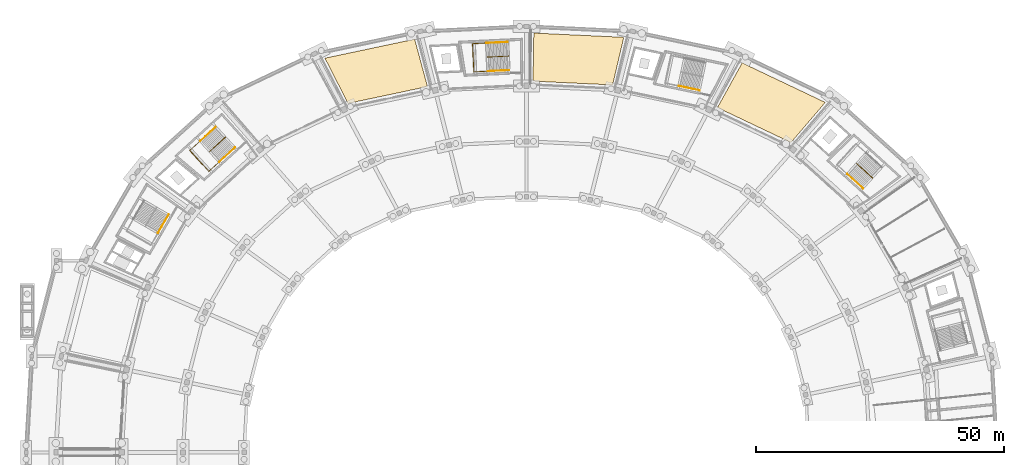
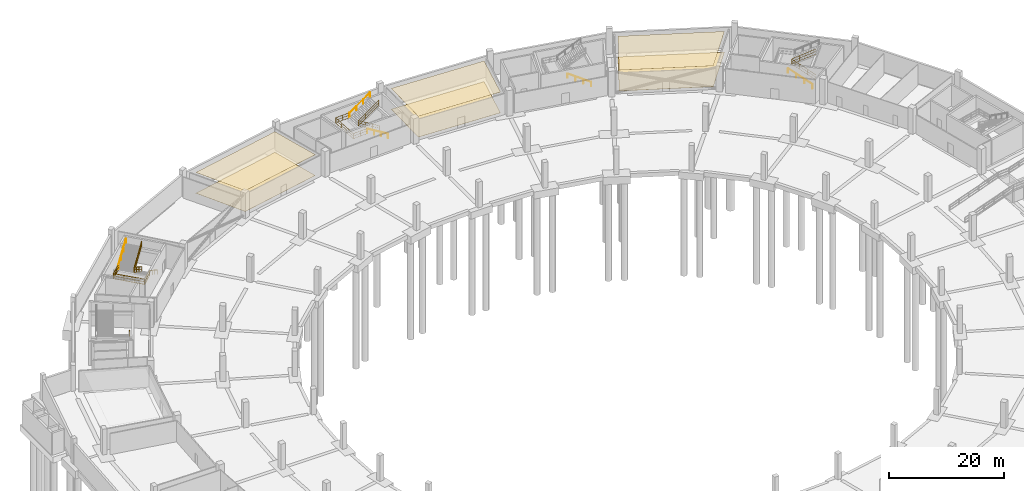
# One storey, part 47 of 49: 12 railings, 6 coverings.
"""IFC4 building model written with IfcOpenShell, lengths in metres."""

from ifc_helpers import new_model, si_unit, direction, frame, origin, origin_2d, place, context, subcontext, project, spatial, polyline, rectangle, outline, extrude, material, layer, layer_set, type_object, element, save


model = new_model("IFC4")

# Units and contexts
model_context = context("Model", 3, precision=1e-05, world=origin(), true_north=direction((0.0, 1.0)))
body_context = subcontext(model_context, "Body", "Model", "MODEL_VIEW")
ifc_project = project(units=[si_unit("LENGTHUNIT", "METRE"), si_unit("AREAUNIT", "SQUARE_METRE"), si_unit("VOLUMEUNIT", "CUBIC_METRE"), si_unit("PLANEANGLEUNIT", "RADIAN"), si_unit("MASSUNIT", "GRAM", prefix="KILO")], contexts=[model_context])

# Site, building, storey
site_placement = place(None, origin())
site = spatial("IfcSite", under=ifc_project, at=site_placement, CompositionType="ELEMENT")
building_placement = place(site_placement, origin())
building = spatial("IfcBuilding", under=site, at=building_placement, Name="Kazemori Nagisa Stadium", CompositionType="ELEMENT")
storey_placement = place(building_placement, frame((0.0, 0.0, -5.43994140625)))
storey = spatial("IfcBuildingStorey", under=building, at=storey_placement, Name="B1", CompositionType="ELEMENT", Elevation=-5.43994140625)

# Coverings
ifc_material_1 = material(Name="Mineral-fibre acoustic board", Category="gypsum")
ifc_layer_1 = layer(ifc_material_1, 0.02001953125, Name="Mineral-fibre acoustic board", Category="gypsum")
ifc_layer_set_1 = layer_set([ifc_layer_1], Name="Mineral-fibre acoustic board")
covering_type_1 = type_object("IfcCoveringType", Name="Cov_CEIL", PredefinedType="CEILING", material=ifc_layer_set_1)
covering_1_placement = place(storey_placement, frame((0.0, 0.0, 4.409912109375)))
element("IfcCovering", 1, at=covering_1_placement, inside=storey, type_object=covering_type_1, Name="Acoustic ceiling B1-B05", PredefinedType="CEILING", context=body_context, shape_type="SweptSolid", body=[
    extrude(outline(polyline([(176.377197265625, 164.53759765625), (161.533935546875, 171.5908203125), (166.52734375, 180.60888671875), (183.294189453125, 172.6416015625), (176.377197265625, 164.53759765625)])), origin(), (0.0, 0.0, 1.0), 0.02001953125),
])
covering_2_placement = place(storey_placement, frame((0.0, 0.0, 4.409912109375)))
element("IfcCovering", 2, at=covering_2_placement, inside=storey, type_object=covering_type_1, Name="Acoustic ceiling B1-B07", PredefinedType="CEILING", context=body_context, shape_type="SweptSolid", body=[
    extrude(outline(polyline([(140.376953125, 176.17041015625), (124.307861328125, 176.93017578125), (124.4775390625, 186.64013671875), (142.62890625, 185.781982421875), (140.376953125, 176.17041015625)])), origin(), (0.0, 0.0, 1.0), 0.02001953125),
])
covering_3_placement = place(storey_placement, frame((0.0, 0.0, 4.409912109375)))
element("IfcCovering", 3, at=covering_3_placement, inside=storey, type_object=covering_type_1, Name="Acoustic ceiling B1-B09", PredefinedType="CEILING", context=body_context, shape_type="SweptSolid", body=[
    extrude(outline(polyline([(103.01025390625, 175.83251953125), (86.979248046875, 172.44091796875), (82.311279296875, 181.569091796875), (100.419677734375, 185.400146484375), (103.01025390625, 175.83251953125)])), origin(), (0.0, 0.0, 1.0), 0.02001953125),
])
ifc_material_2 = material(Name="Porcelain stoneware tile", Category="masonry")
ifc_layer_2 = layer(ifc_material_2, 0.02490234375, Name="Porcelain stoneware tile", Category="masonry")
ifc_layer_set_2 = layer_set([ifc_layer_2], Name="Porcelain stoneware tile")
covering_type_2 = type_object("IfcCoveringType", Name="Cov_FLOOR", PredefinedType="FLOORING", material=ifc_layer_set_2)
covering_4_placement = place(storey_placement, origin())
element("IfcCovering", 4, at=covering_4_placement, inside=storey, type_object=covering_type_2, Name="Porcelain floor finish B1-B05", PredefinedType="FLOORING", context=body_context, shape_type="SweptSolid", body=[
    extrude(outline(polyline([(176.377197265625, 164.53759765625), (161.533935546875, 171.5908203125), (166.52734375, 180.60888671875), (183.294189453125, 172.6416015625), (176.377197265625, 164.53759765625)])), origin(), (0.0, 0.0, 1.0), 0.02490234375),
])
covering_5_placement = place(storey_placement, origin())
element("IfcCovering", 5, at=covering_5_placement, inside=storey, type_object=covering_type_2, Name="Porcelain floor finish B1-B07", PredefinedType="FLOORING", context=body_context, shape_type="SweptSolid", body=[
    extrude(outline(polyline([(140.376953125, 176.17041015625), (124.307861328125, 176.93017578125), (124.4775390625, 186.64013671875), (142.62890625, 185.781982421875), (140.376953125, 176.17041015625)])), origin(), (0.0, 0.0, 1.0), 0.02490234375),
])
covering_6_placement = place(storey_placement, origin())
element("IfcCovering", 6, at=covering_6_placement, inside=storey, type_object=covering_type_2, Name="Porcelain floor finish B1-B09", PredefinedType="FLOORING", context=body_context, shape_type="SweptSolid", body=[
    extrude(outline(polyline([(103.01025390625, 175.83251953125), (86.979248046875, 172.44091796875), (82.311279296875, 181.569091796875), (100.419677734375, 185.400146484375), (103.01025390625, 175.83251953125)])), origin(), (0.0, 0.0, 1.0), 0.02490234375),
])

# Railings
ifc_material_3 = material(Name="Galvanised powder-coated steel", Category="steel")
railing_type_1 = type_object("IfcRailingType", Name="Rail_GUARD", PredefinedType="GUARDRAIL", material=ifc_material_3)
railing_1_placement = place(storey_placement, frame((192.848388671875, 157.393310546875, 0.0)))
element("IfcRailing", 7, at=railing_1_placement, inside=storey, type_object=railing_type_1, Name="Stair central guard ST01-B1", PredefinedType="GUARDRAIL", context=body_context, shape_type="SweptSolid", body=[
    extrude(rectangle(XDim=0.050048828125, YDim=0.050048828125, at=origin_2d()), frame((0.0, 0.0, 1.09521484375), z_axis=(-0.627557777508, 0.568113486393, 0.532370456043), x_axis=(-0.67112318634, -0.741345849626, 0.0)), (0.0, 0.0, 1.0), 5.109130859375),
    extrude(rectangle(XDim=0.03759765625, YDim=0.03759765625, at=origin_2d()), frame((0.0, 0.0, 0.58251953125), z_axis=(-0.627557777508, 0.568113486393, 0.532370456043), x_axis=(-0.67112318634, -0.741345849626, 0.0)), (0.0, 0.0, 1.0), 5.109130859375),
    extrude(rectangle(XDim=0.03759765625, YDim=0.03759765625, at=origin_2d()), frame((0.0, 0.0, 0.02490234375), z_axis=(-0.627557777508, 0.568113486393, 0.532370456043), x_axis=(-0.67112318634, -0.741345849626, 0.0)), (0.0, 0.0, 1.0), 5.109130859375),
    extrude(rectangle(XDim=0.050048828125, YDim=0.050048828125, at=origin_2d()), frame((-3.206298828125, 2.902587890625, 3.81494140625), z_axis=(0.624200602078, -0.565073454279, 0.539504957933), x_axis=(0.671122625547, 0.741346357298, 0.0)), (0.0, 0.0, 1.0), 5.04150390625),
    extrude(rectangle(XDim=0.03759765625, YDim=0.03759765625, at=origin_2d()), frame((-3.206298828125, 2.902587890625, 3.302490234375), z_axis=(0.624200602078, -0.565073454279, 0.539504957933), x_axis=(0.671122625547, 0.741346357298, 0.0)), (0.0, 0.0, 1.0), 5.04150390625),
    extrude(rectangle(XDim=0.03759765625, YDim=0.03759765625, at=origin_2d()), frame((-3.206298828125, 2.902587890625, 2.7451171875), z_axis=(0.624200602078, -0.565073454279, 0.539504957933), x_axis=(0.671122625547, 0.741346357298, 0.0)), (0.0, 0.0, 1.0), 5.04150390625),
    extrude(rectangle(XDim=0.044921875, YDim=0.044921875, at=origin_2d()), origin(), (0.0, 0.0, 1.0), 1.070068359375),
    extrude(rectangle(XDim=0.044921875, YDim=0.044921875, at=origin_2d()), frame((-1.06884765625, 0.967529296875, 0.90673828125)), (0.0, 0.0, 1.0), 1.070068359375),
    extrude(rectangle(XDim=0.044921875, YDim=0.044921875, at=origin_2d()), frame((-2.137451171875, 1.93505859375, 1.813232421875)), (0.0, 0.0, 1.0), 1.070068359375),
    extrude(rectangle(XDim=0.044921875, YDim=0.044921875, at=origin_2d()), frame((-3.206298828125, 2.902587890625, 2.719970703125)), (0.0, 0.0, 1.0), 1.070068359375),
    extrude(rectangle(XDim=0.044921875, YDim=0.044921875, at=origin_2d()), frame((-2.1572265625, 1.952880859375, 3.626708984375)), (0.0, 0.0, 1.0), 1.070068359375),
    extrude(rectangle(XDim=0.044921875, YDim=0.044921875, at=origin_2d()), frame((-1.1083984375, 1.00341796875, 4.533203125)), (0.0, 0.0, 1.0), 1.070068359375),
    extrude(rectangle(XDim=0.044921875, YDim=0.044921875, at=origin_2d()), frame((-0.059326171875, 0.0537109375, 5.43994140625)), (0.0, 0.0, 1.0), 1.070068359375),
])
railing_2_placement = place(storey_placement, frame((119.397705078125, 181.9892578125, 0.0)))
element("IfcRailing", 8, at=railing_2_placement, inside=storey, type_object=railing_type_1, Name="Stair central guard ST05-B1", PredefinedType="GUARDRAIL", context=body_context, shape_type="SweptSolid", body=[
    extrude(rectangle(XDim=0.050048828125, YDim=0.050048828125, at=origin_2d()), frame((0.0, 0.0, 1.09521484375), z_axis=(-0.845562090181, -0.039996353178, 0.532376787042), x_axis=(0.047248669297, -0.998883157957, 0.0)), (0.0, 0.0, 1.0), 5.109130859375),
    extrude(rectangle(XDim=0.03759765625, YDim=0.03759765625, at=origin_2d()), frame((0.0, 0.0, 0.58251953125), z_axis=(-0.845562090181, -0.039996353178, 0.532376787042), x_axis=(0.047248669297, -0.998883157957, 0.0)), (0.0, 0.0, 1.0), 5.109130859375),
    extrude(rectangle(XDim=0.03759765625, YDim=0.03759765625, at=origin_2d()), frame((0.0, 0.0, 0.02490234375), z_axis=(-0.845562090181, -0.039996353178, 0.532376787042), x_axis=(0.047248669297, -0.998883157957, 0.0)), (0.0, 0.0, 1.0), 5.109130859375),
    extrude(rectangle(XDim=0.050048828125, YDim=0.050048828125, at=origin_2d()), frame((-4.320068359375, -0.204345703125, 3.81494140625), z_axis=(0.841044817984, 0.039756897488, 0.539502551656), x_axis=(-0.047218117157, 0.99888460265, 0.0)), (0.0, 0.0, 1.0), 5.041748046875),
    extrude(rectangle(XDim=0.03759765625, YDim=0.03759765625, at=origin_2d()), frame((-4.320068359375, -0.204345703125, 3.302490234375), z_axis=(0.841044817984, 0.039756897488, 0.539502551656), x_axis=(-0.047218117157, 0.99888460265, 0.0)), (0.0, 0.0, 1.0), 5.041748046875),
    extrude(rectangle(XDim=0.03759765625, YDim=0.03759765625, at=origin_2d()), frame((-4.320068359375, -0.204345703125, 2.7451171875), z_axis=(0.841044817984, 0.039756897488, 0.539502551656), x_axis=(-0.047218117157, 0.99888460265, 0.0)), (0.0, 0.0, 1.0), 5.041748046875),
    extrude(rectangle(XDim=0.044921875, YDim=0.044921875, at=origin_2d()), origin(), (0.0, 0.0, 1.0), 1.070068359375),
    extrude(rectangle(XDim=0.044921875, YDim=0.044921875, at=origin_2d()), frame((-1.43994140625, -0.068115234375, 0.90673828125)), (0.0, 0.0, 1.0), 1.070068359375),
    extrude(rectangle(XDim=0.044921875, YDim=0.044921875, at=origin_2d()), frame((-2.880126953125, -0.13623046875, 1.813232421875)), (0.0, 0.0, 1.0), 1.070068359375),
    extrude(rectangle(XDim=0.044921875, YDim=0.044921875, at=origin_2d()), frame((-4.320068359375, -0.204345703125, 2.719970703125)), (0.0, 0.0, 1.0), 1.070068359375),
    extrude(rectangle(XDim=0.044921875, YDim=0.044921875, at=origin_2d()), frame((-2.90673828125, -0.137451171875, 3.626708984375)), (0.0, 0.0, 1.0), 1.070068359375),
    extrude(rectangle(XDim=0.044921875, YDim=0.044921875, at=origin_2d()), frame((-1.4931640625, -0.07080078125, 4.533203125)), (0.0, 0.0, 1.0), 1.070068359375),
    extrude(rectangle(XDim=0.044921875, YDim=0.044921875, at=origin_2d()), frame((-0.079833984375, -0.00390625, 5.43994140625)), (0.0, 0.0, 1.0), 1.070068359375),
])
railing_3_placement = place(storey_placement, frame((115.212158203125, 178.93798828125, 2.719970703125)))
element("IfcRailing", 9, at=railing_3_placement, inside=storey, type_object=railing_type_1, Name="Stair landing guard ST05-B1", PredefinedType="GUARDRAIL", context=body_context, shape_type="SweptSolid", body=[
    extrude(rectangle(XDim=0.050048828125, YDim=0.050048828125, at=origin_2d()), frame((0.0, 0.0, 1.09521484375), z_axis=(-0.998885512722, -0.047198860948, 0.0), x_axis=(0.047198860948, -0.998885512722, 0.0)), (0.0, 0.0, 1.0), 2.85009765625),
    extrude(rectangle(XDim=0.03759765625, YDim=0.03759765625, at=origin_2d()), frame((0.0, 0.0, 0.58251953125), z_axis=(-0.998885512722, -0.047198860948, 0.0), x_axis=(0.047198860948, -0.998885512722, 0.0)), (0.0, 0.0, 1.0), 2.85009765625),
    extrude(rectangle(XDim=0.03759765625, YDim=0.03759765625, at=origin_2d()), frame((0.0, 0.0, 0.02490234375), z_axis=(-0.998885512722, -0.047198860948, 0.0), x_axis=(0.047198860948, -0.998885512722, 0.0)), (0.0, 0.0, 1.0), 2.85009765625),
    extrude(rectangle(XDim=0.050048828125, YDim=0.050048828125, at=origin_2d()), frame((-2.846923828125, -0.134521484375, 1.09521484375), z_axis=(-0.047200880317, 0.998885417301, 0.0), x_axis=(-0.998885417301, -0.047200880317, 0.0)), (0.0, 0.0, 1.0), 5.699951171875),
    extrude(rectangle(XDim=0.03759765625, YDim=0.03759765625, at=origin_2d()), frame((-2.846923828125, -0.134521484375, 0.58251953125), z_axis=(-0.047200880317, 0.998885417301, 0.0), x_axis=(-0.998885417301, -0.047200880317, 0.0)), (0.0, 0.0, 1.0), 5.699951171875),
    extrude(rectangle(XDim=0.03759765625, YDim=0.03759765625, at=origin_2d()), frame((-2.846923828125, -0.134521484375, 0.02490234375), z_axis=(-0.047200880317, 0.998885417301, 0.0), x_axis=(-0.998885417301, -0.047200880317, 0.0)), (0.0, 0.0, 1.0), 5.699951171875),
    extrude(rectangle(XDim=0.050048828125, YDim=0.050048828125, at=origin_2d()), frame((-3.115966796875, 5.55908203125, 1.09521484375), z_axis=(0.998885321869, 0.047202899858, 0.0), x_axis=(-0.047202899858, 0.998885321869, 0.0)), (0.0, 0.0, 1.0), 2.849853515625),
    extrude(rectangle(XDim=0.03759765625, YDim=0.03759765625, at=origin_2d()), frame((-3.115966796875, 5.55908203125, 0.58251953125), z_axis=(0.998885321869, 0.047202899858, 0.0), x_axis=(-0.047202899858, 0.998885321869, 0.0)), (0.0, 0.0, 1.0), 2.849853515625),
    extrude(rectangle(XDim=0.03759765625, YDim=0.03759765625, at=origin_2d()), frame((-3.115966796875, 5.55908203125, 0.02490234375), z_axis=(0.998885321869, 0.047202899858, 0.0), x_axis=(-0.047202899858, 0.998885321869, 0.0)), (0.0, 0.0, 1.0), 2.849853515625),
    extrude(rectangle(XDim=0.044921875, YDim=0.044921875, at=origin_2d()), origin(), (0.0, 0.0, 1.0), 1.070068359375),
    extrude(rectangle(XDim=0.044921875, YDim=0.044921875, at=origin_2d()), frame((-1.42333984375, -0.0673828125, 0.0)), (0.0, 0.0, 1.0), 1.070068359375),
    extrude(rectangle(XDim=0.044921875, YDim=0.044921875, at=origin_2d()), frame((-2.846923828125, -0.134521484375, 0.0)), (0.0, 0.0, 1.0), 1.070068359375),
    extrude(rectangle(XDim=0.044921875, YDim=0.044921875, at=origin_2d()), frame((-2.9365234375, 1.763427734375, 0.0)), (0.0, 0.0, 1.0), 1.070068359375),
    extrude(rectangle(XDim=0.044921875, YDim=0.044921875, at=origin_2d()), frame((-3.0263671875, 3.6611328125, 0.0)), (0.0, 0.0, 1.0), 1.070068359375),
    extrude(rectangle(XDim=0.044921875, YDim=0.044921875, at=origin_2d()), frame((-3.115966796875, 5.55908203125, 0.0)), (0.0, 0.0, 1.0), 1.070068359375),
    extrude(rectangle(XDim=0.044921875, YDim=0.044921875, at=origin_2d()), frame((-1.692626953125, 5.62646484375, 0.0)), (0.0, 0.0, 1.0), 1.070068359375),
    extrude(rectangle(XDim=0.044921875, YDim=0.044921875, at=origin_2d()), frame((-0.269287109375, 5.693603515625, 0.0)), (0.0, 0.0, 1.0), 1.070068359375),
])
railing_4_placement = place(storey_placement, frame((62.267822265625, 165.64599609375, 0.0)))
element("IfcRailing", 10, at=railing_4_placement, inside=storey, type_object=railing_type_1, Name="Stair central guard ST02-B1", PredefinedType="GUARDRAIL", context=body_context, shape_type="SweptSolid", body=[
    extrude(rectangle(XDim=0.050048828125, YDim=0.050048828125, at=origin_2d()), frame((0.0, 0.0, 1.09521484375), z_axis=(-0.627557777508, -0.568113486393, 0.532370456043), x_axis=(0.67112318634, -0.741345849626, 0.0)), (0.0, 0.0, 1.0), 5.109130859375),
    extrude(rectangle(XDim=0.03759765625, YDim=0.03759765625, at=origin_2d()), frame((0.0, 0.0, 0.58251953125), z_axis=(-0.627557777508, -0.568113486393, 0.532370456043), x_axis=(0.67112318634, -0.741345849626, 0.0)), (0.0, 0.0, 1.0), 5.109130859375),
    extrude(rectangle(XDim=0.03759765625, YDim=0.03759765625, at=origin_2d()), frame((0.0, 0.0, 0.02490234375), z_axis=(-0.627557777508, -0.568113486393, 0.532370456043), x_axis=(0.67112318634, -0.741345849626, 0.0)), (0.0, 0.0, 1.0), 5.109130859375),
    extrude(rectangle(XDim=0.050048828125, YDim=0.050048828125, at=origin_2d()), frame((-3.206298828125, -2.902587890625, 3.81494140625), z_axis=(0.624200602078, 0.565073454279, 0.539504957933), x_axis=(-0.671122625547, 0.741346357298, 0.0)), (0.0, 0.0, 1.0), 5.04150390625),
    extrude(rectangle(XDim=0.03759765625, YDim=0.03759765625, at=origin_2d()), frame((-3.206298828125, -2.902587890625, 3.302490234375), z_axis=(0.624200602078, 0.565073454279, 0.539504957933), x_axis=(-0.671122625547, 0.741346357298, 0.0)), (0.0, 0.0, 1.0), 5.04150390625),
    extrude(rectangle(XDim=0.03759765625, YDim=0.03759765625, at=origin_2d()), frame((-3.206298828125, -2.902587890625, 2.7451171875), z_axis=(0.624200602078, 0.565073454279, 0.539504957933), x_axis=(-0.671122625547, 0.741346357298, 0.0)), (0.0, 0.0, 1.0), 5.04150390625),
    extrude(rectangle(XDim=0.044921875, YDim=0.044921875, at=origin_2d()), origin(), (0.0, 0.0, 1.0), 1.070068359375),
    extrude(rectangle(XDim=0.044921875, YDim=0.044921875, at=origin_2d()), frame((-1.06884765625, -0.967529296875, 0.90673828125)), (0.0, 0.0, 1.0), 1.070068359375),
    extrude(rectangle(XDim=0.044921875, YDim=0.044921875, at=origin_2d()), frame((-2.137451171875, -1.93505859375, 1.813232421875)), (0.0, 0.0, 1.0), 1.070068359375),
    extrude(rectangle(XDim=0.044921875, YDim=0.044921875, at=origin_2d()), frame((-3.206298828125, -2.902587890625, 2.719970703125)), (0.0, 0.0, 1.0), 1.070068359375),
    extrude(rectangle(XDim=0.044921875, YDim=0.044921875, at=origin_2d()), frame((-2.1572265625, -1.952880859375, 3.626708984375)), (0.0, 0.0, 1.0), 1.070068359375),
    extrude(rectangle(XDim=0.044921875, YDim=0.044921875, at=origin_2d()), frame((-1.1083984375, -1.00341796875, 4.533203125)), (0.0, 0.0, 1.0), 1.070068359375),
    extrude(rectangle(XDim=0.044921875, YDim=0.044921875, at=origin_2d()), frame((-0.059326171875, -0.0537109375, 5.43994140625)), (0.0, 0.0, 1.0), 1.070068359375),
])
railing_5_placement = place(storey_placement, frame((60.97412109375, 160.630615234375, 2.719970703125)))
element("IfcRailing", 11, at=railing_5_placement, inside=storey, type_object=railing_type_1, Name="Stair landing guard ST02-B1", PredefinedType="GUARDRAIL", context=body_context, shape_type="SweptSolid", body=[
    extrude(rectangle(XDim=0.050048828125, YDim=0.050048828125, at=origin_2d()), frame((0.0, 0.0, 1.09521484375), z_axis=(-0.741314535645, -0.671157775223, 0.0), x_axis=(0.671157775223, -0.741314535645, 0.0)), (0.0, 0.0, 1.0), 2.85009765625),
    extrude(rectangle(XDim=0.03759765625, YDim=0.03759765625, at=origin_2d()), frame((0.0, 0.0, 0.58251953125), z_axis=(-0.741314535645, -0.671157775223, 0.0), x_axis=(0.671157775223, -0.741314535645, 0.0)), (0.0, 0.0, 1.0), 2.85009765625),
    extrude(rectangle(XDim=0.03759765625, YDim=0.03759765625, at=origin_2d()), frame((0.0, 0.0, 0.02490234375), z_axis=(-0.741314535645, -0.671157775223, 0.0), x_axis=(0.671157775223, -0.741314535645, 0.0)), (0.0, 0.0, 1.0), 2.85009765625),
    extrude(rectangle(XDim=0.050048828125, YDim=0.050048828125, at=origin_2d()), frame((-2.11279296875, -1.912841796875, 1.09521484375), z_axis=(-0.671112926645, 0.74135513736, 0.0), x_axis=(-0.74135513736, -0.671112926645, 0.0)), (0.0, 0.0, 1.0), 5.7001953125),
    extrude(rectangle(XDim=0.03759765625, YDim=0.03759765625, at=origin_2d()), frame((-2.11279296875, -1.912841796875, 0.58251953125), z_axis=(-0.671112926645, 0.74135513736, 0.0), x_axis=(-0.74135513736, -0.671112926645, 0.0)), (0.0, 0.0, 1.0), 5.7001953125),
    extrude(rectangle(XDim=0.03759765625, YDim=0.03759765625, at=origin_2d()), frame((-2.11279296875, -1.912841796875, 0.02490234375), z_axis=(-0.671112926645, 0.74135513736, 0.0), x_axis=(-0.74135513736, -0.671112926645, 0.0)), (0.0, 0.0, 1.0), 5.7001953125),
    extrude(rectangle(XDim=0.050048828125, YDim=0.050048828125, at=origin_2d()), frame((-5.938232421875, 2.31298828125, 1.09521484375), z_axis=(0.741357156534, 0.671110696127, 0.0), x_axis=(-0.671110696127, 0.741357156534, 0.0)), (0.0, 0.0, 1.0), 2.849853515625),
    extrude(rectangle(XDim=0.03759765625, YDim=0.03759765625, at=origin_2d()), frame((-5.938232421875, 2.31298828125, 0.58251953125), z_axis=(0.741357156534, 0.671110696127, 0.0), x_axis=(-0.671110696127, 0.741357156534, 0.0)), (0.0, 0.0, 1.0), 2.849853515625),
    extrude(rectangle(XDim=0.03759765625, YDim=0.03759765625, at=origin_2d()), frame((-5.938232421875, 2.31298828125, 0.02490234375), z_axis=(0.741357156534, 0.671110696127, 0.0), x_axis=(-0.671110696127, 0.741357156534, 0.0)), (0.0, 0.0, 1.0), 2.849853515625),
    extrude(rectangle(XDim=0.044921875, YDim=0.044921875, at=origin_2d()), origin(), (0.0, 0.0, 1.0), 1.070068359375),
    extrude(rectangle(XDim=0.044921875, YDim=0.044921875, at=origin_2d()), frame((-1.056396484375, -0.95654296875, 0.0)), (0.0, 0.0, 1.0), 1.070068359375),
    extrude(rectangle(XDim=0.044921875, YDim=0.044921875, at=origin_2d()), frame((-2.11279296875, -1.912841796875, 0.0)), (0.0, 0.0, 1.0), 1.070068359375),
    extrude(rectangle(XDim=0.044921875, YDim=0.044921875, at=origin_2d()), frame((-3.387939453125, -0.504150390625, 0.0)), (0.0, 0.0, 1.0), 1.070068359375),
    extrude(rectangle(XDim=0.044921875, YDim=0.044921875, at=origin_2d()), frame((-4.6630859375, 0.904296875, 0.0)), (0.0, 0.0, 1.0), 1.070068359375),
    extrude(rectangle(XDim=0.044921875, YDim=0.044921875, at=origin_2d()), frame((-5.938232421875, 2.31298828125, 0.0)), (0.0, 0.0, 1.0), 1.070068359375),
    extrude(rectangle(XDim=0.044921875, YDim=0.044921875, at=origin_2d()), frame((-4.8818359375, 3.269287109375, 0.0)), (0.0, 0.0, 1.0), 1.070068359375),
    extrude(rectangle(XDim=0.044921875, YDim=0.044921875, at=origin_2d()), frame((-3.825439453125, 4.2255859375, 0.0)), (0.0, 0.0, 1.0), 1.070068359375),
])
ifc_material_4 = material(Name="Stainless steel SUS304", Category="steel")
railing_type_2 = type_object("IfcRailingType", Name="Rail_HAND", PredefinedType="HANDRAIL", material=ifc_material_4)
railing_6_placement = place(storey_placement, frame((190.935791015625, 155.280517578125, 0.169921875)))
element("IfcRailing", 12, at=railing_6_placement, inside=storey, type_object=railing_type_2, Name="Stair handrail ST01-B1-F1", PredefinedType="HANDRAIL", context=body_context, shape_type="SweptSolid", body=[
    extrude(rectangle(XDim=0.050048828125, YDim=0.050048828125, at=origin_2d()), frame((0.0, 0.0, 0.875), z_axis=(-0.627586741976, 0.568096450081, 0.532354491576), x_axis=(-0.671095101672, -0.741371273056, 0.0)), (0.0, 0.0, 1.0), 5.109375),
    extrude(rectangle(XDim=0.044921875, YDim=0.044921875, at=origin_2d()), origin(), (0.0, 0.0, 1.0), 0.849853515625),
    extrude(rectangle(XDim=0.044921875, YDim=0.044921875, at=origin_2d()), frame((-1.06884765625, 0.967529296875, 0.90673828125)), (0.0, 0.0, 1.0), 0.849853515625),
    extrude(rectangle(XDim=0.044921875, YDim=0.044921875, at=origin_2d()), frame((-2.1376953125, 1.93505859375, 1.813232421875)), (0.0, 0.0, 1.0), 0.849853515625),
    extrude(rectangle(XDim=0.044921875, YDim=0.044921875, at=origin_2d()), frame((-3.20654296875, 2.902587890625, 2.719970703125)), (0.0, 0.0, 1.0), 0.849853515625),
])
railing_7_placement = place(storey_placement, frame((157.95703125, 175.070068359375, 0.169921875)))
element("IfcRailing", 13, at=railing_7_placement, inside=storey, type_object=railing_type_2, Name="Stair handrail ST11-B1-F1", PredefinedType="HANDRAIL", context=body_context, shape_type="SweptSolid", body=[
    extrude(rectangle(XDim=0.050048828125, YDim=0.050048828125, at=origin_2d()), frame((0.0, 0.0, 0.875), z_axis=(-0.828178122726, 0.175183255318, 0.532383155345), x_axis=(-0.206949239158, -0.978351681356, 0.0)), (0.0, 0.0, 1.0), 5.109130859375),
    extrude(rectangle(XDim=0.044921875, YDim=0.044921875, at=origin_2d()), origin(), (0.0, 0.0, 1.0), 0.849853515625),
    extrude(rectangle(XDim=0.044921875, YDim=0.044921875, at=origin_2d()), frame((-1.410400390625, 0.29833984375, 0.90673828125)), (0.0, 0.0, 1.0), 0.849853515625),
    extrude(rectangle(XDim=0.044921875, YDim=0.044921875, at=origin_2d()), frame((-2.82080078125, 0.5966796875, 1.813232421875)), (0.0, 0.0, 1.0), 0.849853515625),
    extrude(rectangle(XDim=0.044921875, YDim=0.044921875, at=origin_2d()), frame((-4.231201171875, 0.89501953125, 2.719970703125)), (0.0, 0.0, 1.0), 0.849853515625),
])
railing_8_placement = place(storey_placement, frame((119.5322265625, 179.142333984375, 0.169921875)))
element("IfcRailing", 14, at=railing_8_placement, inside=storey, type_object=railing_type_2, Name="Stair handrail ST05-B1-F1", PredefinedType="HANDRAIL", context=body_context, shape_type="SweptSolid", body=[
    extrude(rectangle(XDim=0.050048828125, YDim=0.050048828125, at=origin_2d()), frame((0.0, 0.0, 0.875), z_axis=(-0.845562090181, -0.039996353178, 0.532376787042), x_axis=(0.047248669297, -0.998883157957, 0.0)), (0.0, 0.0, 1.0), 5.109130859375),
    extrude(rectangle(XDim=0.044921875, YDim=0.044921875, at=origin_2d()), origin(), (0.0, 0.0, 1.0), 0.849853515625),
    extrude(rectangle(XDim=0.044921875, YDim=0.044921875, at=origin_2d()), frame((-1.43994140625, -0.068115234375, 0.90673828125)), (0.0, 0.0, 1.0), 0.849853515625),
    extrude(rectangle(XDim=0.044921875, YDim=0.044921875, at=origin_2d()), frame((-2.880126953125, -0.13623046875, 1.813232421875)), (0.0, 0.0, 1.0), 0.849853515625),
    extrude(rectangle(XDim=0.044921875, YDim=0.044921875, at=origin_2d()), frame((-4.320068359375, -0.204345703125, 2.719970703125)), (0.0, 0.0, 1.0), 0.849853515625),
])
railing_9_placement = place(storey_placement, frame((114.94287109375, 184.631591796875, 2.889892578125)))
element("IfcRailing", 15, at=railing_9_placement, inside=storey, type_object=railing_type_2, Name="Stair handrail ST05-B1-F2", PredefinedType="HANDRAIL", context=body_context, shape_type="SweptSolid", body=[
    extrude(rectangle(XDim=0.050048828125, YDim=0.050048828125, at=origin_2d()), frame((0.0, 0.0, 0.875), z_axis=(0.841043197801, 0.039805245773, 0.539501512362), x_axis=(-0.047275501627, 0.998881888386, 0.0)), (0.0, 0.0, 1.0), 5.041748046875),
    extrude(rectangle(XDim=0.044921875, YDim=0.044921875, at=origin_2d()), origin(), (0.0, 0.0, 1.0), 0.849853515625),
    extrude(rectangle(XDim=0.044921875, YDim=0.044921875, at=origin_2d()), frame((1.413330078125, 0.06689453125, 0.90673828125)), (0.0, 0.0, 1.0), 0.849853515625),
    extrude(rectangle(XDim=0.044921875, YDim=0.044921875, at=origin_2d()), frame((2.826904296875, 0.1337890625, 1.813232421875)), (0.0, 0.0, 1.0), 0.849853515625),
    extrude(rectangle(XDim=0.044921875, YDim=0.044921875, at=origin_2d()), frame((4.240234375, 0.20068359375, 2.719970703125)), (0.0, 0.0, 1.0), 0.849853515625),
])
railing_10_placement = place(storey_placement, frame((64.180419921875, 163.533203125, 0.169921875)))
element("IfcRailing", 16, at=railing_10_placement, inside=storey, type_object=railing_type_2, Name="Stair handrail ST02-B1-F1", PredefinedType="HANDRAIL", context=body_context, shape_type="SweptSolid", body=[
    extrude(rectangle(XDim=0.050048828125, YDim=0.050048828125, at=origin_2d()), frame((0.0, 0.0, 0.875), z_axis=(-0.627557777508, -0.568113486393, 0.532370456043), x_axis=(0.67112318634, -0.741345849626, 0.0)), (0.0, 0.0, 1.0), 5.109130859375),
    extrude(rectangle(XDim=0.044921875, YDim=0.044921875, at=origin_2d()), origin(), (0.0, 0.0, 1.0), 0.849853515625),
    extrude(rectangle(XDim=0.044921875, YDim=0.044921875, at=origin_2d()), frame((-1.06884765625, -0.967529296875, 0.90673828125)), (0.0, 0.0, 1.0), 0.849853515625),
    extrude(rectangle(XDim=0.044921875, YDim=0.044921875, at=origin_2d()), frame((-2.137451171875, -1.93505859375, 1.813232421875)), (0.0, 0.0, 1.0), 0.849853515625),
    extrude(rectangle(XDim=0.044921875, YDim=0.044921875, at=origin_2d()), frame((-3.206298828125, -2.902587890625, 2.719970703125)), (0.0, 0.0, 1.0), 0.849853515625),
])
railing_11_placement = place(storey_placement, frame((57.148681640625, 164.856201171875, 2.889892578125)))
element("IfcRailing", 17, at=railing_11_placement, inside=storey, type_object=railing_type_2, Name="Stair handrail ST02-B1-F2", PredefinedType="HANDRAIL", context=body_context, shape_type="SweptSolid", body=[
    extrude(rectangle(XDim=0.050048828125, YDim=0.050048828125, at=origin_2d()), frame((0.0, 0.0, 0.875), z_axis=(0.624230158192, 0.5650563739, 0.539488650408), x_axis=(-0.67109401143, 0.741372259949, 0.0)), (0.0, 0.0, 1.0), 5.041748046875),
    extrude(rectangle(XDim=0.044921875, YDim=0.044921875, at=origin_2d()), origin(), (0.0, 0.0, 1.0), 0.849853515625),
    extrude(rectangle(XDim=0.044921875, YDim=0.044921875, at=origin_2d()), frame((1.049072265625, 0.94970703125, 0.90673828125)), (0.0, 0.0, 1.0), 0.849853515625),
    extrude(rectangle(XDim=0.044921875, YDim=0.044921875, at=origin_2d()), frame((2.09814453125, 1.899169921875, 1.813232421875)), (0.0, 0.0, 1.0), 0.849853515625),
    extrude(rectangle(XDim=0.044921875, YDim=0.044921875, at=origin_2d()), frame((3.147216796875, 2.848876953125, 2.719970703125)), (0.0, 0.0, 1.0), 0.849853515625),
])
railing_12_placement = place(storey_placement, frame((50.776123046875, 150.009765625, 0.169921875)))
element("IfcRailing", 18, at=railing_12_placement, inside=storey, type_object=railing_type_2, Name="Stair handrail ST08-B1-F1", PredefinedType="HANDRAIL", context=body_context, shape_type="SweptSolid", body=[
    extrude(rectangle(XDim=0.050048828125, YDim=0.050048828125, at=origin_2d()), frame((0.0, 0.0, 0.875), z_axis=(-0.424619314289, -0.732308236718, 0.532374947163), x_axis=(0.865092431049, -0.501612485632, 0.0)), (0.0, 0.0, 1.0), 5.109130859375),
    extrude(rectangle(XDim=0.044921875, YDim=0.044921875, at=origin_2d()), origin(), (0.0, 0.0, 1.0), 0.849853515625),
    extrude(rectangle(XDim=0.044921875, YDim=0.044921875, at=origin_2d()), frame((-0.72314453125, -1.2470703125, 0.90673828125)), (0.0, 0.0, 1.0), 0.849853515625),
    extrude(rectangle(XDim=0.044921875, YDim=0.044921875, at=origin_2d()), frame((-1.4462890625, -2.494384765625, 1.813232421875)), (0.0, 0.0, 1.0), 0.849853515625),
    extrude(rectangle(XDim=0.044921875, YDim=0.044921875, at=origin_2d()), frame((-2.16943359375, -3.741455078125, 2.719970703125)), (0.0, 0.0, 1.0), 0.849853515625),
])

save(model, "model.ifc")
